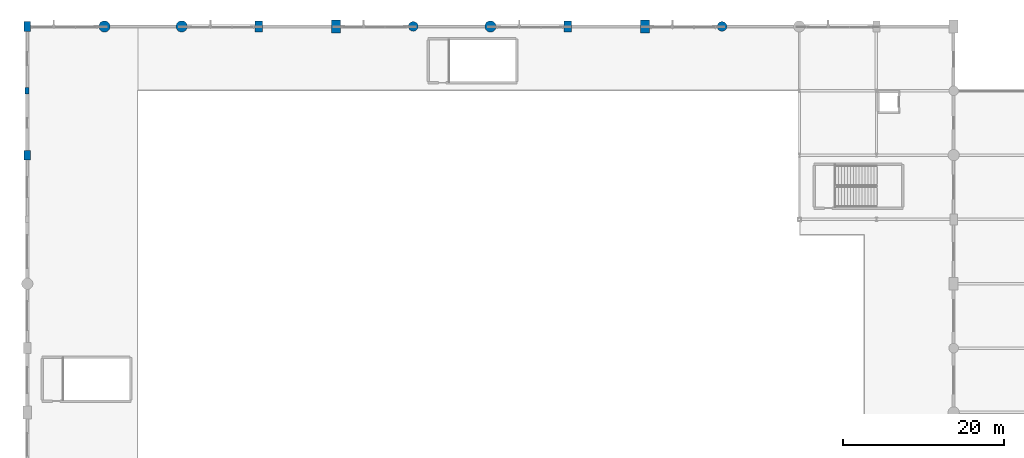
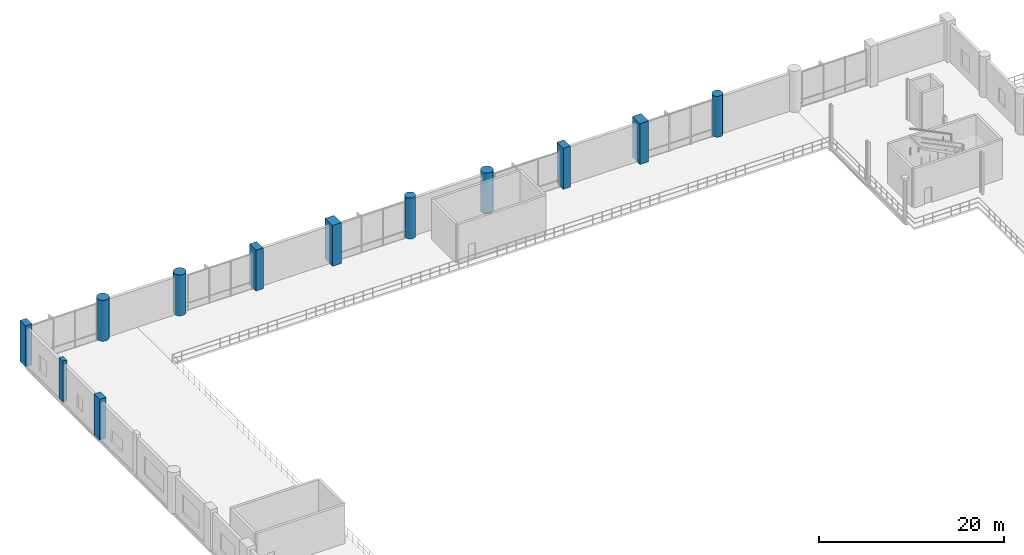
# One storey, part 23 of 129: 12 columns.
"""IFC4 building model written with IfcOpenShell, lengths in metres."""

from ifc_helpers import new_model, si_unit, direction, frame, origin, origin_2d, place, context, subcontext, project, spatial, rectangle, circle, extrude, material, material_profile, profile_set, type_object, element, save


model = new_model("IFC4")

# Units and contexts
model_context = context("Model", 3, precision=1e-05, world=origin(), true_north=direction((0.0, 1.0)))
body_context = subcontext(model_context, "Body", "Model", "MODEL_VIEW")
ifc_project = project(units=[si_unit("LENGTHUNIT", "METRE"), si_unit("AREAUNIT", "SQUARE_METRE"), si_unit("VOLUMEUNIT", "CUBIC_METRE"), si_unit("PLANEANGLEUNIT", "RADIAN"), si_unit("MASSUNIT", "GRAM", prefix="KILO")], contexts=[model_context])

# Site, building, storey
site_placement = place(None, origin())
site = spatial("IfcSite", under=ifc_project, at=site_placement, CompositionType="ELEMENT")
building_placement = place(site_placement, origin())
building = spatial("IfcBuilding", under=site, at=building_placement, Name="Danafjord Basin Convention Centre", CompositionType="ELEMENT")
storey_placement = place(building_placement, frame((0.0, 0.0, 6.0)))
storey = spatial("IfcBuildingStorey", under=building, at=storey_placement, Name="L01", CompositionType="ELEMENT", Elevation=6.0)

# Columns
ifc_material_1 = material(Name="Precast concrete C45/55", Category="concrete")
ifc_material_profile_1 = material_profile(ifc_material_1, rectangle(XDim=0.800048828125, YDim=1.199951171875, at=origin_2d()), Name="RC 1200x800")
ifc_profile_set_1 = profile_set([ifc_material_profile_1], Name="Precast concrete C45/55")
column_type_1 = type_object("IfcColumnType", Name="COL-C-PIL1200", PredefinedType="PILASTER", material=ifc_profile_set_1)
for number, where, z_axis, x_axis, name in (
    (1, (0.0, 128.0, 0.0), (0.0, 0.0, 1.0), (1.0, 0.0, 0.0), "L01 column C-PIL1200 at (0.0, 128.0)"),
    (2, (0.0, 144.0, 0.0), (0.0, 0.0, 1.0), (1.0, 0.0, 0.0), "L01 column C-PIL1200 at (0.0, 144.0)"),
):
    element("IfcColumn", number, at=place(storey_placement, frame(where, z_axis=z_axis, x_axis=x_axis)), inside=storey, type_object=column_type_1, Name=name, PredefinedType="PILASTER", context=body_context, shape_type="SweptSolid", body=[
        extrude(rectangle(XDim=0.800048828125, YDim=1.199951171875, at=origin_2d()), origin(), (0.0, 0.0, 1.0), 5.39990234375),
    ])
ifc_material_profile_2 = material_profile(ifc_material_1, rectangle(XDim=0.5, YDim=0.800048828125, at=origin_2d()), Name="PCB 500x800")
ifc_profile_set_2 = profile_set([ifc_material_profile_2], Name="Precast concrete C45/55")
column_type_2 = type_object("IfcColumnType", Name="COL-C-PIL800", PredefinedType="PILASTER", material=ifc_profile_set_2)
column_placement = place(storey_placement, frame((0.0, 136.0, 0.0), z_axis=(0.0, 0.0, 1.0), x_axis=(1.0, 0.0, 0.0)))
element("IfcColumn", 3, at=column_placement, inside=storey, type_object=column_type_2, Name="L01 column C-PIL800 at (0.0, 136.0)", PredefinedType="PILASTER", context=body_context, shape_type="SweptSolid", body=[
    extrude(rectangle(XDim=0.5, YDim=0.800048828125, at=origin_2d()), origin(), (0.0, 0.0, 1.0), 5.39990234375),
])
ifc_material_2 = material(Name="Concrete C50/60", Category="concrete")
ifc_material_profile_3 = material_profile(ifc_material_2, rectangle(XDim=0.89990234375, YDim=1.39990234375, at=origin_2d()), Name="RC 1400x900")
ifc_profile_set_3 = profile_set([ifc_material_profile_3], Name="Concrete C50/60")
column_type_3 = type_object("IfcColumnType", Name="COL-C-RC1400", PredefinedType="COLUMN", material=ifc_profile_set_3)
for number, where, z_axis, x_axis, name in (
    (4, (28.800048828125, 144.0, 0.0), (0.0, 0.0, 1.0), (1.0, 0.0, 0.0), "L01 column C-RC1400 at (28.8, 144.0)"),
    (5, (67.199951171875, 144.0, 0.0), (0.0, 0.0, 1.0), (1.0, 0.0, 0.0), "L01 column C-RC1400 at (67.2, 144.0)"),
):
    element("IfcColumn", number, at=place(storey_placement, frame(where, z_axis=z_axis, x_axis=x_axis)), inside=storey, type_object=column_type_3, Name=name, PredefinedType="COLUMN", context=body_context, shape_type="SweptSolid", body=[
        extrude(rectangle(XDim=0.89990234375, YDim=1.39990234375, at=origin_2d()), origin(), (0.0, 0.0, 1.0), 5.39990234375),
    ])
ifc_material_profile_4 = material_profile(ifc_material_2, rectangle(XDim=1.10009765625, YDim=1.60009765625, at=origin_2d()), Name="RC 1600x1100")
ifc_profile_set_4 = profile_set([ifc_material_profile_4], Name="Concrete C50/60")
column_type_4 = type_object("IfcColumnType", Name="COL-C-RC1600", PredefinedType="COLUMN", material=ifc_profile_set_4)
for number, where, z_axis, x_axis, name in (
    (6, (38.39990234375, 144.0, 0.0), (0.0, 0.0, 1.0), (1.0, 0.0, 0.0), "L01 column C-RC1600 at (38.4, 144.0)"),
    (7, (76.800048828125, 144.0, 0.0), (0.0, 0.0, 1.0), (1.0, 0.0, 0.0), "L01 column C-RC1600 at (76.8, 144.0)"),
):
    element("IfcColumn", number, at=place(storey_placement, frame(where, z_axis=z_axis, x_axis=x_axis)), inside=storey, type_object=column_type_4, Name=name, PredefinedType="COLUMN", context=body_context, shape_type="SweptSolid", body=[
        extrude(rectangle(XDim=1.10009765625, YDim=1.60009765625, at=origin_2d()), origin(), (0.0, 0.0, 1.0), 5.39990234375),
    ])
ifc_material_profile_5 = material_profile(ifc_material_2, circle(Radius=0.60009765625, at=origin_2d()), Name="RC D1200")
ifc_profile_set_5 = profile_set([ifc_material_profile_5], Name="Concrete C50/60")
column_type_5 = type_object("IfcColumnType", Name="COL-C-RCD1200", PredefinedType="COLUMN", material=ifc_profile_set_5)
for number, where, z_axis, x_axis, name in (
    (8, (48.0, 144.0, 0.0), (0.0, 0.0, 1.0), (1.0, 0.0, 0.0), "L01 column C-RCD1200 at (48.0, 144.0)"),
    (9, (86.39990234375, 144.0, 0.0), (0.0, 0.0, 1.0), (1.0, 0.0, 0.0), "L01 column C-RCD1200 at (86.4, 144.0)"),
):
    element("IfcColumn", number, at=place(storey_placement, frame(where, z_axis=z_axis, x_axis=x_axis)), inside=storey, type_object=column_type_5, Name=name, PredefinedType="COLUMN", context=body_context, shape_type="SweptSolid", body=[
        extrude(circle(Radius=0.60009765625, at=origin_2d()), origin(), (0.0, 0.0, 1.0), 5.39990234375),
    ])
ifc_material_profile_6 = material_profile(ifc_material_2, circle(Radius=0.699951171875, at=origin_2d()), Name="RC D1400")
ifc_profile_set_6 = profile_set([ifc_material_profile_6], Name="Concrete C50/60")
column_type_6 = type_object("IfcColumnType", Name="COL-C-RCD1400", PredefinedType="COLUMN", material=ifc_profile_set_6)
for number, where, z_axis, x_axis, name in (
    (10, (9.60009765625, 144.0, 0.0), (0.0, 0.0, 1.0), (1.0, 0.0, 0.0), "L01 column C-RCD1400 at (9.6, 144.0)"),
    (11, (19.199951171875, 144.0, 0.0), (0.0, 0.0, 1.0), (1.0, 0.0, 0.0), "L01 column C-RCD1400 at (19.2, 144.0)"),
    (12, (57.60009765625, 144.0, 0.0), (0.0, 0.0, 1.0), (1.0, 0.0, 0.0), "L01 column C-RCD1400 at (57.6, 144.0)"),
):
    element("IfcColumn", number, at=place(storey_placement, frame(where, z_axis=z_axis, x_axis=x_axis)), inside=storey, type_object=column_type_6, Name=name, PredefinedType="COLUMN", context=body_context, shape_type="SweptSolid", body=[
        extrude(circle(Radius=0.699951171875, at=origin_2d()), origin(), (0.0, 0.0, 1.0), 5.39990234375),
    ])

save(model, "model.ifc")
